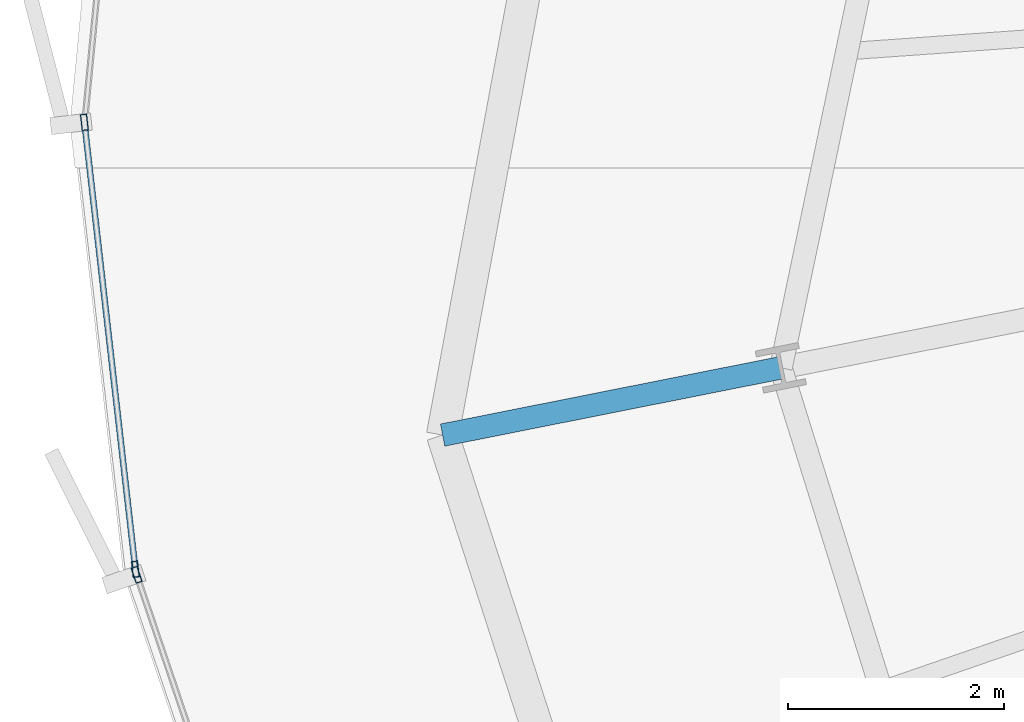
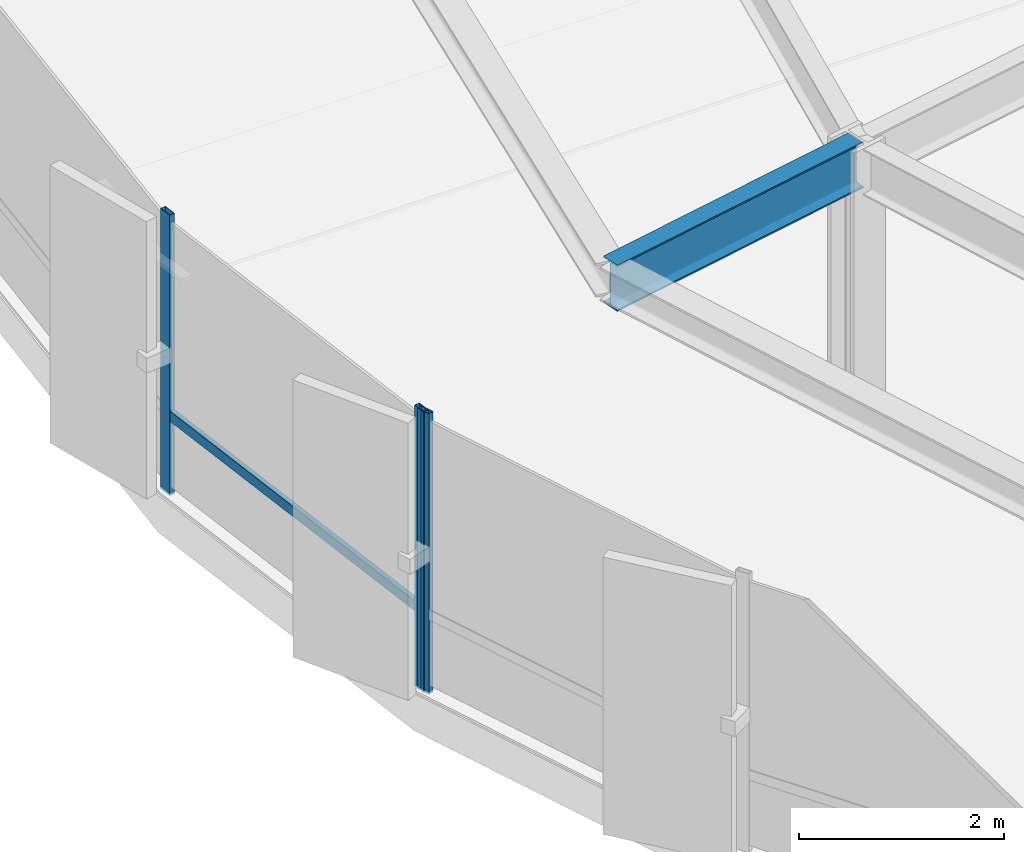
# One storey, part 7 of 35: 4 members, 1 beam, 2 elements without a shape of their own.
"""IFC4 building model written with IfcOpenShell, lengths in metres."""

import ifcopenshell
import ifcopenshell.guid

model = None  # the IFC model being written
_history = None  # IfcOwnerHistory: only IFC2X3 demands one
_inside = {}  # id of a spatial element -> (the spatial element, [elements in it])
_under = {}  # id of a project, library or spatial element -> (it, [spatial elements below it])
_declared = {}  # id of a project -> (the project, [libraries it declares])
_typed = {}  # id of a type object -> (the type object, [elements of that type])
_made_of = {}  # id of a material, layer set ... -> (it, [elements and type objects made of it])


def new_model(schema):
    """Start an empty IFC model of exactly this schema.

    Asked for "IFC4X3", IfcOpenShell would pick the latest addendum, in which some entities
    have other attributes; the version numbers below select the first issue.
    IFC2X3 requires an IfcOwnerHistory on every rooted entity: one is made here for all.
    """
    global model, _history
    if schema == "IFC4X3":
        model = ifcopenshell.file(schema_version=(4, 3, 0, 0))
    else:
        model = ifcopenshell.file(schema=schema)
    _inside.clear()
    _under.clear()
    _declared.clear()
    _typed.clear()
    _made_of.clear()
    _history = None
    if model.schema == "IFC2X3":
        org = make("IfcOrganization", Name="unknown")
        user = make(
            "IfcPersonAndOrganization",
            ThePerson=make("IfcPerson", FamilyName="unknown"),
            TheOrganization=org,
        )
        app = make(
            "IfcApplication",
            ApplicationDeveloper=org,
            Version="unknown",
            ApplicationFullName="unknown",
            ApplicationIdentifier="unknown",
        )
        _history = make(
            "IfcOwnerHistory",
            OwningUser=user,
            OwningApplication=app,
            ChangeAction="ADDED",
            CreationDate=0,
        )
    return model


def make(cls, **values):
    """One entity of the class cls with the attributes given. An attribute that is None is left unset."""
    return model.create_entity(
        cls, **{name: value for name, value in values.items() if value is not None}
    )


def rooted(cls, **values):
    """An entity with a GlobalId (a new one), such as an element, a storey or a relation."""
    return make(cls, GlobalId=ifcopenshell.guid.new(), OwnerHistory=_history, **values)


def si_unit(unit_type, name, prefix=None):
    """IfcSIUnit, for example si_unit("LENGTHUNIT", "METRE", prefix="MILLI")."""
    return make("IfcSIUnit", UnitType=unit_type, Prefix=prefix, Name=name)


def assignment(units):
    """IfcUnitAssignment: the units of a project."""
    return None if units is None else make("IfcUnitAssignment", Units=units)


def point(xyz):
    """IfcCartesianPoint."""
    return None if xyz is None else make("IfcCartesianPoint", Coordinates=xyz)


def direction(xyz):
    """IfcDirection."""
    return None if xyz is None else make("IfcDirection", DirectionRatios=xyz)


def frame(location, z_axis=None, x_axis=None):
    """IfcAxis2Placement3D, a coordinate frame: its origin and axes. An axis left out is left unset."""
    return make(
        "IfcAxis2Placement3D",
        Location=point(location),
        Axis=direction(z_axis),
        RefDirection=direction(x_axis),
    )


def frame_2d(location, x_axis=None):
    """IfcAxis2Placement2D, a coordinate frame in the plane: its origin and x axis."""
    return make(
        "IfcAxis2Placement2D", Location=point(location), RefDirection=direction(x_axis)
    )


def origin():
    """The frame at (0, 0, 0) with its axes left unset."""
    return frame((0.0, 0.0, 0.0))


def origin_2d():
    """The frame at (0, 0) in the plane with its x axis left unset."""
    return frame_2d((0.0, 0.0))


def place(relative_to, where):
    """IfcLocalPlacement: puts the frame where relative to a parent placement (None: the world)."""
    return make(
        "IfcLocalPlacement", PlacementRelTo=relative_to, RelativePlacement=where
    )


def context(
    kind, dimensions, precision=None, world=None, true_north=None, identifier=None
):
    """IfcGeometricRepresentationContext, for example the 3D "Model" context."""
    return make(
        "IfcGeometricRepresentationContext",
        ContextIdentifier=identifier,
        ContextType=kind,
        CoordinateSpaceDimension=dimensions,
        Precision=precision,
        WorldCoordinateSystem=world,
        TrueNorth=true_north,
    )


def subcontext(parent, identifier, kind, view, scale=None):
    """IfcGeometricRepresentationSubContext, for example "Body" below "Model"."""
    return make(
        "IfcGeometricRepresentationSubContext",
        ContextIdentifier=identifier,
        ContextType=kind,
        ParentContext=parent,
        TargetScale=scale,
        TargetView=view,
    )


def project(units=None, contexts=None):
    """IfcProject with its units and contexts."""
    return rooted(
        "IfcProject",
        Name="project",
        RepresentationContexts=contexts,
        UnitsInContext=assignment(units),
    )


def spatial(cls, under=None, at=None, **own):
    """A site, building, storey or space (cls), placed at a placement, below another one or the project."""
    s = rooted(cls, ObjectPlacement=at, **own)
    if under is not None:
        _under.setdefault(under.id(), (under, []))[1].append(s)
    return s


def profile(cls, at=None, kind="AREA", **sizes):
    """A parametric profile (cls). Its sizes go by their IFC names, for example OverallWidth=200.0."""
    return make(cls, ProfileType=kind, Position=at, **sizes)


def hollow_rectangle(**sizes):
    """IfcRectangleHollowProfileDef."""
    return profile("IfcRectangleHollowProfileDef", **sizes)


def i_section(**sizes):
    """IfcIShapeProfileDef."""
    return profile("IfcIShapeProfileDef", **sizes)


def extrude(swept, where, along, depth):
    """IfcExtrudedAreaSolid: the profile swept, set in the frame where, extruded along a direction by depth."""
    return make(
        "IfcExtrudedAreaSolid",
        SweptArea=swept,
        Position=where,
        ExtrudedDirection=direction(along),
        Depth=depth,
    )


def shape(context_of_items, identifier, shape_type, items):
    """IfcShapeRepresentation: the items that make up one representation, for example the "Body"."""
    return make(
        "IfcShapeRepresentation",
        ContextOfItems=context_of_items,
        RepresentationIdentifier=identifier,
        RepresentationType=shape_type,
        Items=items,
    )


def source(mapping_origin, context_of_items, identifier, shape_type, items):
    """IfcRepresentationMap: a shape defined once, which mapped items show again and again."""
    return make(
        "IfcRepresentationMap",
        MappingOrigin=mapping_origin,
        MappedRepresentation=shape(context_of_items, identifier, shape_type, items),
    )


def transform(
    local_origin,
    x_axis=None,
    y_axis=None,
    z_axis=None,
    scale=None,
    scale2=None,
    scale3=None,
    uniform=True,
):
    """IfcCartesianTransformationOperator3D, or its non-uniform kind. x_axis, y_axis, z_axis: its Axis1, 2, 3."""
    if uniform:
        return make(
            "IfcCartesianTransformationOperator3D",
            Axis1=direction(x_axis),
            Axis2=direction(y_axis),
            LocalOrigin=point(local_origin),
            Scale=scale,
            Axis3=direction(z_axis),
        )
    return make(
        "IfcCartesianTransformationOperator3DnonUniform",
        Axis1=direction(x_axis),
        Axis2=direction(y_axis),
        LocalOrigin=point(local_origin),
        Scale=scale,
        Axis3=direction(z_axis),
        Scale2=scale2,
        Scale3=scale3,
    )


def mapped(mapping_source, mapping_target):
    """IfcMappedItem: shows the shape of a source again, moved by a transform."""
    return make(
        "IfcMappedItem", MappingSource=mapping_source, MappingTarget=mapping_target
    )


def material(Name=None, Category=None):
    """IfcMaterial."""
    return make("IfcMaterial", Name=Name, Category=Category)


def layer(
    of_material, thickness, ventilated=None, Name=None, Category=None, Priority=None
):
    """IfcMaterialLayer: one layer of a wall or slab, of a material (None: an air gap)."""
    return make(
        "IfcMaterialLayer",
        Material=of_material,
        LayerThickness=thickness,
        IsVentilated=ventilated,
        Name=Name,
        Category=Category,
        Priority=Priority,
    )


def layer_set(layers, Name=None):
    """IfcMaterialLayerSet."""
    return make("IfcMaterialLayerSet", MaterialLayers=layers, LayerSetName=Name)


def material_profile(
    of_material, cross_section, Name=None, Category=None, Priority=None
):
    """IfcMaterialProfile: a cross section and its material."""
    return make(
        "IfcMaterialProfile",
        Name=Name,
        Material=of_material,
        Profile=cross_section,
        Priority=Priority,
        Category=Category,
    )


def profile_set(profiles, Name=None, composite=None):
    """IfcMaterialProfileSet."""
    return make(
        "IfcMaterialProfileSet",
        Name=Name,
        MaterialProfiles=profiles,
        CompositeProfile=composite,
    )


def made_of(thing, what):
    """Note that an element or type object is made of a material, layer set ...; save() writes the relation."""
    if what is not None:
        _made_of.setdefault(what.id(), (what, []))[1].append(thing)
    return thing


def type_object(cls, material=None, **own):
    """A type object (cls), such as IfcWallType, which elements share."""
    return made_of(rooted(cls, **own), material)


def element(
    cls,
    number,
    at=None,
    inside=None,
    cuts=None,
    type_object=None,
    material=None,
    context=None,
    identifier="Body",
    shape_type=None,
    held_by="IfcProductDefinitionShape",
    body=None,
    shapes=None,
    **own,
):
    """One element of the class cls, such as IfcWall. Its Tag is "e" and its number.

    at: its placement. inside: the storey or other place that contains it. cuts: it is an
    opening in that element (IfcRelVoidsElement). A single representation is given by context,
    identifier, shape_type and body (its items); several are given by shapes. held_by: the class
    of the entity that holds the representations. save() writes the other relations.
    """
    e = rooted(cls, Tag="e%d" % number, ObjectPlacement=at, **own)
    if body is not None:
        shapes = [shape(context, identifier, shape_type, body)]
    if shapes is not None:
        e.Representation = make(held_by, Representations=shapes)
    if inside is not None:
        _inside.setdefault(inside.id(), (inside, []))[1].append(e)
    if cuts is not None:
        rooted(
            "IfcRelVoidsElement", RelatingBuildingElement=cuts, RelatedOpeningElement=e
        )
    if type_object is not None:
        _typed.setdefault(type_object.id(), (type_object, []))[1].append(e)
    return made_of(e, material)


def aggregate(whole, parts):
    """IfcRelAggregates: a whole, such as a stair, and the parts it consists of."""
    return rooted("IfcRelAggregates", RelatingObject=whole, RelatedObjects=parts)


def save(model, path):
    """Write the relations noted so far, then the file.

    IfcRelAggregates (storeys below a building ...), IfcRelContainedInSpatialStructure (elements
    in a storey), IfcRelDefinesByType, IfcRelAssociatesMaterial and IfcRelDeclares: one each for
    every whole, place, type object, material and project.
    """
    for whole, parts in _under.values():
        aggregate(whole, parts)
    for where, things in _inside.values():
        rooted(
            "IfcRelContainedInSpatialStructure",
            RelatedElements=things,
            RelatingStructure=where,
        )
    for kind, things in _typed.values():
        rooted("IfcRelDefinesByType", RelatedObjects=things, RelatingType=kind)
    for what, things in _made_of.values():
        rooted("IfcRelAssociatesMaterial", RelatedObjects=things, RelatingMaterial=what)
    for by, libraries in _declared.values():
        rooted("IfcRelDeclares", RelatingContext=by, RelatedDefinitions=libraries)
    model.write(path)


model = new_model("IFC4")

# Units and contexts
model_context = context("Model", 3, precision=1e-05, world=origin(), true_north=direction((0.0, 1.0)))
body_context = subcontext(model_context, "Body", "Model", "MODEL_VIEW")
ifc_project = project(units=[si_unit("LENGTHUNIT", "METRE"), si_unit("AREAUNIT", "SQUARE_METRE"), si_unit("VOLUMEUNIT", "CUBIC_METRE"), si_unit("PLANEANGLEUNIT", "RADIAN"), si_unit("MASSUNIT", "GRAM", prefix="KILO"), si_unit("THERMODYNAMICTEMPERATUREUNIT", "KELVIN")], contexts=[model_context])

# Site, building, storey
site_placement = place(None, origin())
site = spatial("IfcSite", under=ifc_project, at=site_placement, CompositionType="ELEMENT")
building_placement = place(site_placement, origin())
building = spatial("IfcBuilding", under=site, at=building_placement, Name="Kethvar Cultural Tower", CompositionType="ELEMENT")
storey_placement = place(building_placement, frame((0.0, 0.0, 85.60009765625)))
storey = spatial("IfcBuildingStorey", under=building, at=storey_placement, Name="L20", CompositionType="ELEMENT", Elevation=85.60009765625)

# Beam
ifc_material_1 = material(Name="Steel S355J2", Category="steel")
ifc_material_profile_1 = material_profile(ifc_material_1, i_section(OverallWidth=0.2099609375, OverallDepth=0.550048828125, WebThickness=0.010986328125, FlangeThickness=0.01708984375, FilletRadius=0.02392578125, at=origin_2d()), Name="Steel S355J2 — IPE550")
ifc_profile_set_1 = profile_set([ifc_material_profile_1], Name="Steel S355J2 — IPE550")
beam_type = type_object("IfcBeamType", Name="BM-IPE550", PredefinedType="BEAM", material=ifc_profile_set_1)
shared_shape_1 = source(origin(), body_context, "Body", "SweptSolid", [
    extrude(i_section(OverallWidth=0.2099609375, OverallDepth=0.550048828125, WebThickness=0.010986328125, FlangeThickness=0.01708984375, FilletRadius=0.02392578125, at=origin_2d()), origin(), (0.0, 0.0, 1.0), 3.199951171875),
])
beam_placement = place(storey_placement, frame((24.185302734375, 23.3017578125, 3.072998046875), z_axis=(-0.980785550224, -0.195088965533, 0.0), x_axis=(0.195088965533, -0.980785550224, 0.0)))
element("IfcBeam", 1, at=beam_placement, inside=storey, type_object=beam_type, Name="L20 Perimeter Cantilever Beam RC-09", PredefinedType="BEAM", context=body_context, shape_type="MappedRepresentation", body=[
    mapped(shared_shape_1, transform((0.0, 0.0, 0.0), scale=1.0)),
])

# Curtain wall, members
ifc_material_2 = material(Name="Aluminium 6063-T6", Category="aluminium")
ifc_layer = layer(ifc_material_2, 0.179931640625, Name="Aluminium 6063-T6", Category="aluminium")
ifc_layer_set = layer_set([ifc_layer], Name="Aluminium 6063-T6 (180 mm)")
curtain_wall_type = type_object("IfcCurtainWallType", Name="CW-SYS-03-Z2", PredefinedType="NOTDEFINED", material=ifc_layer_set)
curtain_wall_1_placement = place(storey_placement, origin())
curtain_wall_1 = element("IfcCurtainWall", 2, at=curtain_wall_1_placement, inside=storey, type_object=curtain_wall_type, Name="L20 Curtain Wall Run 03", PredefinedType="NOTDEFINED")
ifc_material_profile_2 = material_profile(ifc_material_2, hollow_rectangle(XDim=0.06005859375, YDim=0.14990234375, WallThickness=0.0048828125, at=origin_2d()), Name="Aluminium 6063-T6 — RHS150x60x5")
ifc_profile_set_2 = profile_set([ifc_material_profile_2], Name="Aluminium 6063-T6 — RHS150x60x5")
member_type_1 = type_object("IfcMemberType", Name="CW-SYS-03-Z2-MUL", PredefinedType="MULLION", material=ifc_profile_set_2)
shared_shape_2 = source(origin(), body_context, "Body", "SweptSolid", [
    extrude(hollow_rectangle(XDim=0.06005859375, YDim=0.14990234375, WallThickness=0.0048828125, at=origin_2d()), origin(), (0.0, 0.0, 1.0), 3.349853515625),
])
member_1_placement = place(storey_placement, frame((17.72314453125, 25.57958984375, 0.0), z_axis=(0.0, 0.0, 1.0), x_axis=(0.9935540615, 0.113359282273, 0.0)))
member_1 = element("IfcMember", 3, at=member_1_placement, type_object=member_type_1, Name="CW-L20-R03 Mullion 6", PredefinedType="MULLION", context=body_context, shape_type="MappedRepresentation", body=[
    mapped(shared_shape_2, transform((0.0, 0.0, 0.0), scale=1.0)),
])
member_2_placement = place(storey_placement, frame((18.1962890625, 21.43359375, 0.0), z_axis=(0.0, 0.0, 1.0), x_axis=(0.9935540615, 0.113359282273, 0.0)))
member_2 = element("IfcMember", 4, at=member_2_placement, type_object=member_type_1, Name="CW-L20-R03 Mullion 7", PredefinedType="MULLION", context=body_context, shape_type="MappedRepresentation", body=[
    mapped(shared_shape_2, transform((0.0, 0.0, 0.0), scale=1.0)),
])

# Curtain wall, member
curtain_wall_2_placement = place(storey_placement, origin())
curtain_wall_2 = element("IfcCurtainWall", 5, at=curtain_wall_2_placement, inside=storey, type_object=curtain_wall_type, Name="L20 Curtain Wall Run 04", PredefinedType="NOTDEFINED")
member_3_placement = place(storey_placement, frame((18.207763671875, 21.381591796875, 0.0), z_axis=(0.0, 0.0, 1.0), x_axis=(0.947260627831, 0.320464199188, 0.0)))
member_3 = element("IfcMember", 6, at=member_3_placement, type_object=member_type_1, Name="CW-L20-R04 Mullion 1", PredefinedType="MULLION", context=body_context, shape_type="MappedRepresentation", body=[
    mapped(shared_shape_2, transform((0.0, 0.0, 0.0), scale=1.0)),
])
aggregate(curtain_wall_2, [member_3])

# Member
ifc_material_profile_3 = material_profile(ifc_material_2, hollow_rectangle(XDim=0.054931640625, YDim=0.1201171875, WallThickness=0.00390625, at=origin_2d()), Name="Aluminium 6063-T6 — RHS120x55x4")
ifc_profile_set_3 = profile_set([ifc_material_profile_3], Name="Aluminium 6063-T6 — RHS120x55x4")
member_type_2 = type_object("IfcMemberType", Name="CW-SYS-03-Z2-TRN", PredefinedType="USERDEFINED", material=ifc_profile_set_3)
shared_shape_3 = source(origin(), body_context, "Body", "SweptSolid", [
    extrude(hollow_rectangle(XDim=0.054931640625, YDim=0.1201171875, WallThickness=0.00390625, at=origin_2d()), origin(), (0.0, 0.0, 1.0), 4.125732421875),
])
member_4_placement = place(storey_placement, frame((17.72802734375, 25.536865234375, 0.949951171875), z_axis=(0.113379697354, -0.993551732034, 0.0), x_axis=(0.993551732034, 0.113379697354, 0.0)))
member_4 = element("IfcMember", 7, at=member_4_placement, type_object=member_type_2, Name="CW-L20-R03 Transom 6", ObjectType="TRANSOM", PredefinedType="USERDEFINED", context=body_context, shape_type="MappedRepresentation", body=[
    mapped(shared_shape_3, transform((0.0, 0.0, 0.0), scale=1.0)),
])

aggregate(curtain_wall_1, [member_1, member_2, member_4])

save(model, "model.ifc")
